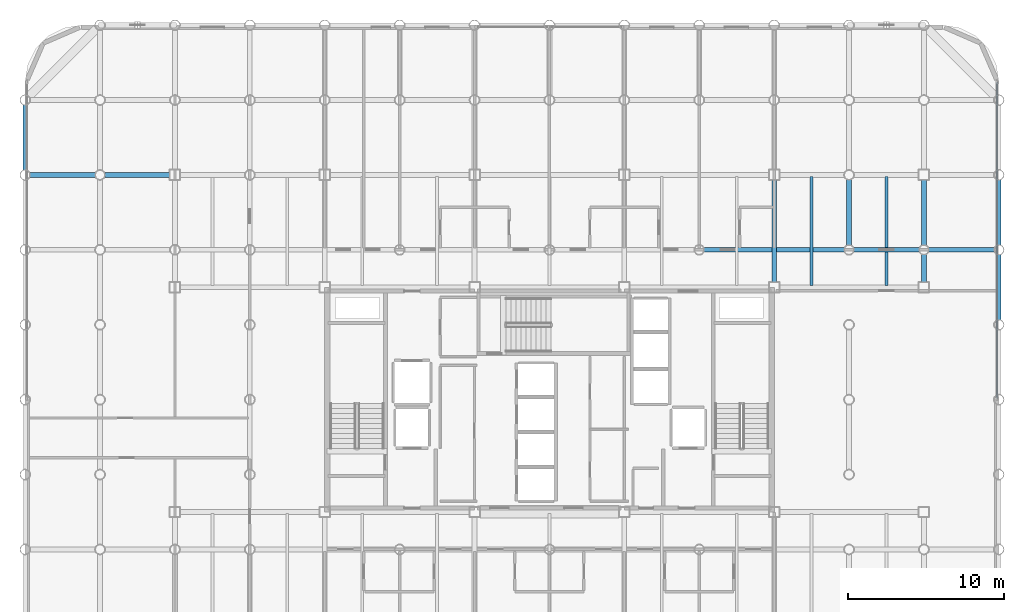
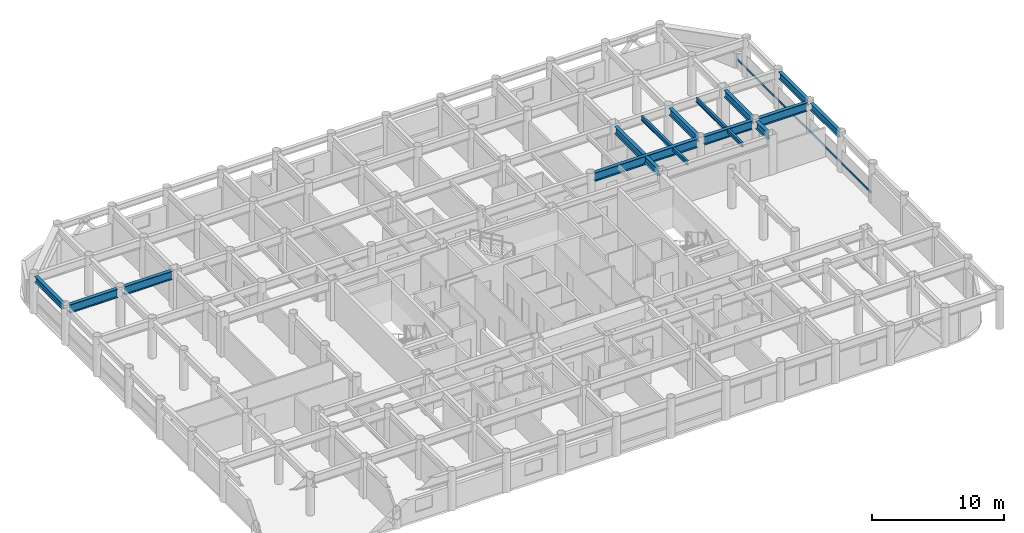
# One storey, part 9 of 20: 14 beams, 1 member, 1 element without a shape of its own.
"""IFC4 building model written with IfcOpenShell, lengths in metres."""

from ifc_helpers import new_model, si_unit, direction, frame, origin, origin_2d, place, context, subcontext, project, spatial, hollow_rectangle, i_section, extrude, material, layer, layer_set, material_profile, profile_set, type_object, element, aggregate, save


model = new_model("IFC4")

# Units and contexts
model_context = context("Model", 3, precision=1e-05, world=origin(), true_north=direction((0.0, 1.0)))
body_context = subcontext(model_context, "Body", "Model", "MODEL_VIEW")
ifc_project = project(units=[si_unit("LENGTHUNIT", "METRE"), si_unit("AREAUNIT", "SQUARE_METRE"), si_unit("VOLUMEUNIT", "CUBIC_METRE"), si_unit("PLANEANGLEUNIT", "RADIAN"), si_unit("MASSUNIT", "GRAM", prefix="KILO")], contexts=[model_context])

# Site, building, storey
site_placement = place(None, origin())
site = spatial("IfcSite", under=ifc_project, at=site_placement, CompositionType="ELEMENT")
building_placement = place(site_placement, origin())
building = spatial("IfcBuilding", under=site, at=building_placement, Name="Kallvorn Hotel Tower", CompositionType="ELEMENT")
storey_placement = place(building_placement, frame((0.0, 0.0, 132.199951171875)))
storey = spatial("IfcBuildingStorey", under=building, at=storey_placement, Name="L32", CompositionType="ELEMENT", Elevation=132.199951171875)

# Beams
ifc_material_1 = material(Name="Structural steel S355JR", Category="steel")
ifc_material_profile_1 = material_profile(ifc_material_1, i_section(OverallWidth=0.300048828125, OverallDepth=0.550048828125, WebThickness=0.014892578125, FlangeThickness=0.029052734375, at=origin_2d()), Name="HE 550 B")
ifc_profile_set_1 = profile_set([ifc_material_profile_1], Name="Structural steel S355JR")
beam_type_1 = type_object("IfcBeamType", Name="BM_HE550B", PredefinedType="SPANDREL", material=ifc_profile_set_1)
beam_1_placement = place(storey_placement, frame((-33.60009765625, 14.719970703125, 3.2451171875), z_axis=(0.0, 1.0, 0.0), x_axis=(-1.0, 0.0, 0.0)))
element("IfcBeam", 1, at=beam_1_placement, inside=storey, type_object=beam_type_1, Name="L33 Perimeter Spandrel 180", PredefinedType="SPANDREL", context=body_context, shape_type="SweptSolid", body=[
    extrude(i_section(OverallWidth=0.300048828125, OverallDepth=0.550048828125, WebThickness=0.014892578125, FlangeThickness=0.029052734375, at=origin_2d()), origin(), (0.0, 0.0, 1.0), 4.159912109375),
])
ifc_material_2 = material(Name="Structural steel S355JR", Category="steel")
ifc_material_profile_2 = material_profile(ifc_material_2, i_section(OverallWidth=0.300048828125, OverallDepth=0.64990234375, WebThickness=0.01611328125, FlangeThickness=0.031005859375, at=origin_2d()), Name="HE 650 B")
ifc_profile_set_2 = profile_set([ifc_material_profile_2], Name="Structural steel S355JR")
beam_type_2 = type_object("IfcBeamType", Name="BM_HE650B", PredefinedType="BEAM", material=ifc_profile_set_2)
beam_2_placement = place(storey_placement, frame((14.39990234375, 7.52490234375, 3.195068359375), z_axis=(0.0, 1.0, 0.0), x_axis=(-1.0, 0.0, 0.0)))
element("IfcBeam", 2, at=beam_2_placement, inside=storey, type_object=beam_type_2, Name="L33 Primary Y-Girder 124", PredefinedType="BEAM", context=body_context, shape_type="SweptSolid", body=[
    extrude(i_section(OverallWidth=0.300048828125, OverallDepth=0.64990234375, WebThickness=0.01611328125, FlangeThickness=0.031005859375, at=origin_2d()), origin(), (0.0, 0.0, 1.0), 6.550048828125),
])
beam_3_placement = place(storey_placement, frame((19.199951171875, 9.905029296875, 3.195068359375), z_axis=(0.0, 1.0, 0.0), x_axis=(-1.0, 0.0, 0.0)))
element("IfcBeam", 3, at=beam_3_placement, inside=storey, type_object=beam_type_2, Name="L33 Primary Y-Girder 133", PredefinedType="BEAM", context=body_context, shape_type="SweptSolid", body=[
    extrude(i_section(OverallWidth=0.300048828125, OverallDepth=0.64990234375, WebThickness=0.01611328125, FlangeThickness=0.031005859375, at=origin_2d()), origin(), (0.0, 0.0, 1.0), 4.18994140625),
])
beam_4_placement = place(storey_placement, frame((24.0, 7.52490234375, 3.195068359375), z_axis=(0.0, 1.0, 0.0), x_axis=(-1.0, 0.0, 0.0)))
element("IfcBeam", 4, at=beam_4_placement, inside=storey, type_object=beam_type_2, Name="L33 Primary Y-Girder 139", PredefinedType="BEAM", context=body_context, shape_type="SweptSolid", body=[
    extrude(i_section(OverallWidth=0.300048828125, OverallDepth=0.64990234375, WebThickness=0.01611328125, FlangeThickness=0.031005859375, at=origin_2d()), origin(), (0.0, 0.0, 1.0), 1.77001953125),
])
beam_5_placement = place(storey_placement, frame((24.0, 9.905029296875, 3.195068359375), z_axis=(0.0, 1.0, 0.0), x_axis=(-1.0, 0.0, 0.0)))
element("IfcBeam", 5, at=beam_5_placement, inside=storey, type_object=beam_type_2, Name="L33 Primary Y-Girder 140", PredefinedType="BEAM", context=body_context, shape_type="SweptSolid", body=[
    extrude(i_section(OverallWidth=0.300048828125, OverallDepth=0.64990234375, WebThickness=0.01611328125, FlangeThickness=0.031005859375, at=origin_2d()), origin(), (0.0, 0.0, 1.0), 4.169921875),
])
for number, where, z_axis, x_axis, name in (
    (6, (28.800048828125, 5.10498046875, 3.195068359375), (0.0, 1.0, 0.0), (-1.0, 0.0, 0.0), "L33 Primary Y-Girder 148"),
    (7, (28.800048828125, 9.905029296875, 3.195068359375), (0.0, 1.0, 0.0), (-1.0, 0.0, 0.0), "L33 Primary Y-Girder 149"),
):
    element("IfcBeam", number, at=place(storey_placement, frame(where, z_axis=z_axis, x_axis=x_axis)), inside=storey, type_object=beam_type_2, Name=name, PredefinedType="BEAM", context=body_context, shape_type="SweptSolid", body=[
        extrude(i_section(OverallWidth=0.300048828125, OverallDepth=0.64990234375, WebThickness=0.01611328125, FlangeThickness=0.031005859375, at=origin_2d()), origin(), (0.0, 0.0, 1.0), 4.18994140625),
    ])
ifc_material_3 = material(Name="Structural steel S355JR", Category="steel")
ifc_material_profile_3 = material_profile(ifc_material_3, i_section(OverallWidth=0.300048828125, OverallDepth=0.800048828125, WebThickness=0.017578125, FlangeThickness=0.032958984375, at=origin_2d()), Name="HE 800 B")
ifc_profile_set_3 = profile_set([ifc_material_profile_3], Name="Structural steel S355JR")
beam_type_3 = type_object("IfcBeamType", Name="BM_HE800B", PredefinedType="BEAM", material=ifc_profile_set_3)
beam_6_placement = place(storey_placement, frame((9.905029296875, 9.60009765625, 3.1201171875), z_axis=(1.0, 0.0, 0.0), x_axis=(0.0, 1.0, 0.0)))
element("IfcBeam", 8, at=beam_6_placement, inside=storey, type_object=beam_type_3, Name="L33 Primary X-Girder 47", PredefinedType="BEAM", context=body_context, shape_type="SweptSolid", body=[
    extrude(i_section(OverallWidth=0.300048828125, OverallDepth=0.800048828125, WebThickness=0.017578125, FlangeThickness=0.032958984375, at=origin_2d()), origin(), (0.0, 0.0, 1.0), 8.989990234375),
])
for number, where, z_axis, x_axis, name in (
    (9, (19.5048828125, 9.60009765625, 3.1201171875), (1.0, 0.0, 0.0), (0.0, 1.0, 0.0), "L33 Primary X-Girder 48"),
    (10, (24.304931640625, 9.60009765625, 3.1201171875), (1.0, 0.0, 0.0), (0.0, 1.0, 0.0), "L33 Primary X-Girder 49"),
):
    element("IfcBeam", number, at=place(storey_placement, frame(where, z_axis=z_axis, x_axis=x_axis)), inside=storey, type_object=beam_type_3, Name=name, PredefinedType="BEAM", context=body_context, shape_type="SweptSolid", body=[
        extrude(i_section(OverallWidth=0.300048828125, OverallDepth=0.800048828125, WebThickness=0.017578125, FlangeThickness=0.032958984375, at=origin_2d()), origin(), (0.0, 0.0, 1.0), 4.190185546875),
    ])
beam_7_placement = place(storey_placement, frame((-33.294921875, 14.39990234375, 3.1201171875), z_axis=(1.0, 0.0, 0.0), x_axis=(0.0, 1.0, 0.0)))
element("IfcBeam", 11, at=beam_7_placement, inside=storey, type_object=beam_type_3, Name="L33 Primary X-Girder 50", PredefinedType="BEAM", context=body_context, shape_type="SweptSolid", body=[
    extrude(i_section(OverallWidth=0.300048828125, OverallDepth=0.800048828125, WebThickness=0.017578125, FlangeThickness=0.032958984375, at=origin_2d()), origin(), (0.0, 0.0, 1.0), 4.18994140625),
])
beam_8_placement = place(storey_placement, frame((-28.4951171875, 14.39990234375, 3.1201171875), z_axis=(1.0, 0.0, 0.0), x_axis=(0.0, 1.0, 0.0)))
element("IfcBeam", 12, at=beam_8_placement, inside=storey, type_object=beam_type_3, Name="L33 Primary X-Girder 51", PredefinedType="BEAM", context=body_context, shape_type="SweptSolid", body=[
    extrude(i_section(OverallWidth=0.300048828125, OverallDepth=0.800048828125, WebThickness=0.017578125, FlangeThickness=0.032958984375, at=origin_2d()), origin(), (0.0, 0.0, 1.0), 4.170166015625),
])
ifc_material_4 = material(Name="Structural steel S355JR", Category="steel")
ifc_material_profile_4 = material_profile(ifc_material_4, i_section(OverallWidth=0.179931640625, OverallDepth=0.39990234375, WebThickness=0.008544921875, FlangeThickness=0.013427734375, at=origin_2d()), Name="IPE 400")
ifc_profile_set_4 = profile_set([ifc_material_profile_4], Name="Structural steel S355JR")
beam_type_4 = type_object("IfcBeamType", Name="BM_IPE400", PredefinedType="JOIST", material=ifc_profile_set_4)
for number, where, z_axis, x_axis, name in (
    (13, (16.800048828125, 7.300048828125, 3.320068359375), (0.0, 1.0, 0.0), (-1.0, 0.0, 0.0), "L33 Secondary Composite Joist 207"),
    (14, (21.60009765625, 7.300048828125, 3.320068359375), (0.0, 1.0, 0.0), (-1.0, 0.0, 0.0), "L33 Secondary Composite Joist 209"),
):
    element("IfcBeam", number, at=place(storey_placement, frame(where, z_axis=z_axis, x_axis=x_axis)), inside=storey, type_object=beam_type_4, Name=name, PredefinedType="JOIST", context=body_context, shape_type="SweptSolid", body=[
        extrude(i_section(OverallWidth=0.179931640625, OverallDepth=0.39990234375, WebThickness=0.008544921875, FlangeThickness=0.013427734375, at=origin_2d()), origin(), (0.0, 0.0, 1.0), 7.0),
    ])

# Curtain wall, member
ifc_material_5 = material(Name="Thermally broken black-anodised aluminium AA 6063-T6", Category="aluminium")
ifc_layer = layer(ifc_material_5, 0.2099609375)
ifc_layer_set = layer_set([ifc_layer], Name="CW_SYS_4_HOTEL_MID")
curtain_wall_type = type_object("IfcCurtainWallType", Name="CW_SYS_4_HOTEL_MID", PredefinedType="USERDEFINED", material=ifc_layer_set)
curtain_wall_placement = place(storey_placement, origin())
curtain_wall = element("IfcCurtainWall", 15, at=curtain_wall_placement, inside=storey, type_object=curtain_wall_type, Name="L32 Dark-Glass Curtain Wall CW-L32-EN", ObjectType="UNITISED CURTAIN WALL", PredefinedType="USERDEFINED")
ifc_material_6 = material(Name="Thermally broken black-anodised aluminium AA 6063-T6", Category="aluminium")
ifc_material_profile_5 = material_profile(ifc_material_6, hollow_rectangle(XDim=0.070068359375, YDim=0.179931640625, WallThickness=0.00390625, at=origin_2d()), Name="TRN 180x70")
ifc_profile_set_5 = profile_set([ifc_material_profile_5], Name="Thermally broken black-anodised aluminium AA 6063-T6")
member_type = type_object("IfcMemberType", Name="CW_TRANSOM_180x70", PredefinedType="USERDEFINED", material=ifc_profile_set_5)
member_placement = place(storey_placement, frame((28.679931640625, 0.06005859375, 0.85009765625), z_axis=(0.0, 1.0, 0.0), x_axis=(-1.0, 0.0, 0.0)))
member = element("IfcMember", 16, at=member_placement, type_object=member_type, Name="CW-L32-EN Transom 00M", ObjectType="TRANSOM", PredefinedType="USERDEFINED", context=body_context, shape_type="SweptSolid", body=[
    extrude(hollow_rectangle(XDim=0.070068359375, YDim=0.179931640625, WallThickness=0.00390625, at=origin_2d()), origin(), (0.0, 0.0, 1.0), 20.300048828125),
])
aggregate(curtain_wall, [member])

save(model, "model.ifc")
